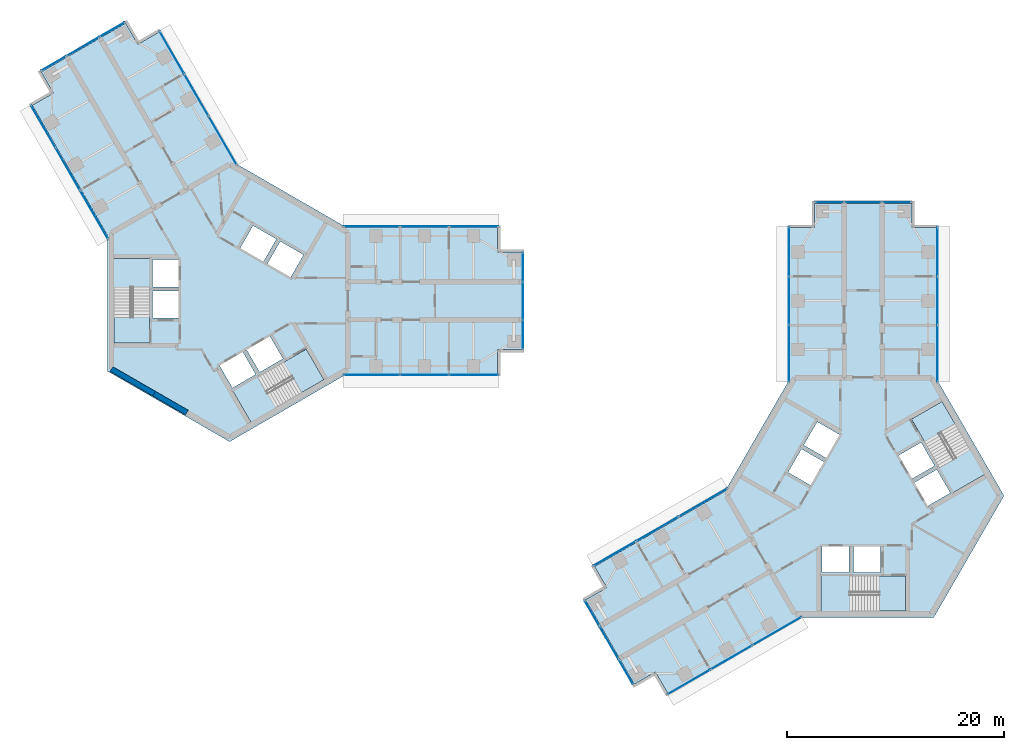
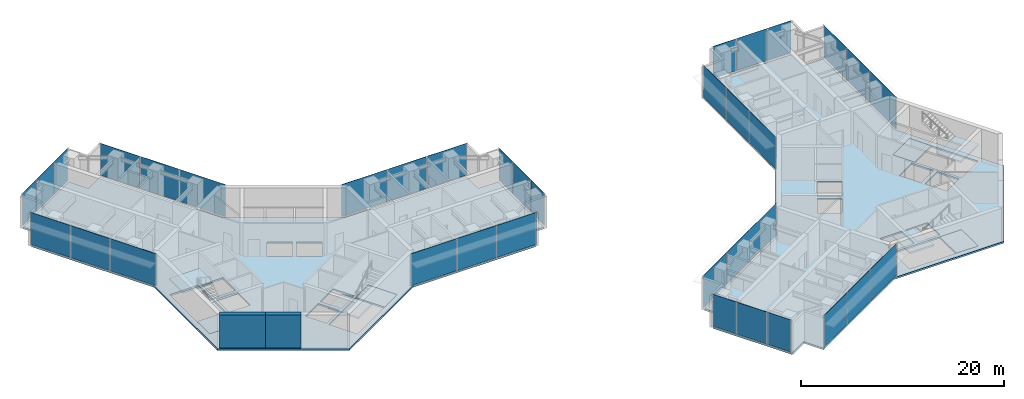
# One storey, part 10 of 17: 36 plates, 10 slabs, 2 walls, 16 elements without a shape of their own.
"""IFC4 building model written with IfcOpenShell, lengths in metres."""

from ifc_helpers import new_model, si_unit, direction, frame, frame_2d, origin, origin_2d, place, context, subcontext, project, spatial, polyline, rectangle, outline, extrude, material, layer, layer_set, type_object, element, aggregate, save


model = new_model("IFC4")

# Units and contexts
model_context = context("Model", 3, precision=1e-05, world=origin(), true_north=direction((0.0, 1.0)))
body_context = subcontext(model_context, "Body", "Model", "MODEL_VIEW")
ifc_project = project(units=[si_unit("LENGTHUNIT", "METRE"), si_unit("AREAUNIT", "SQUARE_METRE"), si_unit("VOLUMEUNIT", "CUBIC_METRE"), si_unit("PLANEANGLEUNIT", "RADIAN"), si_unit("MASSUNIT", "GRAM", prefix="KILO")], contexts=[model_context])

# Site, building, storey
site_placement = place(None, origin())
site = spatial("IfcSite", under=ifc_project, at=site_placement, CompositionType="ELEMENT")
building_placement = place(site_placement, origin())
building = spatial("IfcBuilding", under=site, at=building_placement, Name="Upepo Twin Towers", CompositionType="ELEMENT")
storey_placement = place(building_placement, frame((0.0, 0.0, 186.5)))
storey = spatial("IfcBuildingStorey", under=building, at=storey_placement, Name="L45", CompositionType="ELEMENT", Elevation=186.5)

# Curtain wall, plates
ifc_material_1 = material(Name="Aluminium and fritted glass", Category="aluminium")
curtain_wall_type = type_object("IfcCurtainWallType", Name="Tower curtain wall TW3, fritted glass", PredefinedType="NOTDEFINED", material=ifc_material_1)
curtain_wall_1_placement = place(storey_placement, origin())
curtain_wall_1 = element("IfcCurtainWall", 1, at=curtain_wall_1_placement, inside=storey, type_object=curtain_wall_type, Name="T1 L45 wing A flank L curtain wall", PredefinedType="NOTDEFINED")
ifc_material_2 = material(Name="Ceramic-fritted laminated glass", Category="glass")
ifc_layer_1 = layer(ifc_material_2, 0.031982421875)
ifc_layer_set_1 = layer_set([ifc_layer_1], Name="Fritted glass panel, 50 per cent dot frit, 32 mm double glazed")
plate_type_1 = type_object("IfcPlateType", Name="Fritted glass panel, 50 per cent dot frit, 32 mm double glazed", PredefinedType="CURTAIN_PANEL", material=ifc_layer_set_1)
plate_1_placement = place(storey_placement, frame((13.134765625, 6.85009765625, 0.14990234375), z_axis=(0.0, 0.0, 1.0), x_axis=(1.0, 0.0, 0.0)))
plate_1 = element("IfcPlate", 2, at=plate_1_placement, type_object=plate_type_1, Name="T1 L45 wing A flank L curtain wall panel 1", PredefinedType="CURTAIN_PANEL", context=body_context, shape_type="SweptSolid", body=[
    extrude(rectangle(XDim=5.165283203125, YDim=0.031982421875, at=origin_2d()), origin(), (0.0, 0.0, 1.0), 3.85009765625),
])
plate_2_placement = place(storey_placement, frame((18.0, 6.85009765625, 0.14990234375), z_axis=(0.0, 0.0, 1.0), x_axis=(1.0, 0.0, 0.0)))
plate_2 = element("IfcPlate", 3, at=plate_2_placement, type_object=plate_type_1, Name="T1 L45 wing A flank L curtain wall panel 2", PredefinedType="CURTAIN_PANEL", context=body_context, shape_type="SweptSolid", body=[
    extrude(rectangle(XDim=4.43505859375, YDim=0.031982421875, at=origin_2d()), origin(), (0.0, 0.0, 1.0), 3.85009765625),
])
plate_3_placement = place(storey_placement, frame((22.53369140625, 6.85009765625, 0.14990234375), z_axis=(0.0, 0.0, 1.0), x_axis=(1.0, 0.0, 0.0)))
plate_3 = element("IfcPlate", 4, at=plate_3_placement, type_object=plate_type_1, Name="T1 L45 wing A flank L curtain wall panel 3", PredefinedType="CURTAIN_PANEL", context=body_context, shape_type="SweptSolid", body=[
    extrude(rectangle(XDim=4.50244140625, YDim=0.031982421875, at=origin_2d()), origin(), (0.0, 0.0, 1.0), 3.85009765625),
])
aggregate(curtain_wall_1, [plate_1, plate_2, plate_3])

curtain_wall_2_placement = place(storey_placement, origin())
curtain_wall_2 = element("IfcCurtainWall", 5, at=curtain_wall_2_placement, inside=storey, type_object=curtain_wall_type, Name="T1 L45 wing A flank R curtain wall", PredefinedType="NOTDEFINED")
plate_4_placement = place(storey_placement, frame((22.53369140625, -6.85009765625, 0.14990234375), z_axis=(0.0, 0.0, 1.0), x_axis=(-1.0, 0.0, 0.0)))
plate_4 = element("IfcPlate", 6, at=plate_4_placement, type_object=plate_type_1, Name="T1 L45 wing A flank R curtain wall panel 1", PredefinedType="CURTAIN_PANEL", context=body_context, shape_type="SweptSolid", body=[
    extrude(rectangle(XDim=4.50244140625, YDim=0.031982421875, at=origin_2d()), origin(), (0.0, 0.0, 1.0), 3.85009765625),
])
plate_5_placement = place(storey_placement, frame((18.0, -6.85009765625, 0.14990234375), z_axis=(0.0, 0.0, 1.0), x_axis=(-1.0, 0.0, 0.0)))
plate_5 = element("IfcPlate", 7, at=plate_5_placement, type_object=plate_type_1, Name="T1 L45 wing A flank R curtain wall panel 2", PredefinedType="CURTAIN_PANEL", context=body_context, shape_type="SweptSolid", body=[
    extrude(rectangle(XDim=4.43505859375, YDim=0.031982421875, at=origin_2d()), origin(), (0.0, 0.0, 1.0), 3.85009765625),
])
plate_6_placement = place(storey_placement, frame((13.134765625, -6.85009765625, 0.14990234375), z_axis=(0.0, 0.0, 1.0), x_axis=(-1.0, 0.0, 0.0)))
plate_6 = element("IfcPlate", 8, at=plate_6_placement, type_object=plate_type_1, Name="T1 L45 wing A flank R curtain wall panel 3", PredefinedType="CURTAIN_PANEL", context=body_context, shape_type="SweptSolid", body=[
    extrude(rectangle(XDim=5.165283203125, YDim=0.031982421875, at=origin_2d()), origin(), (0.0, 0.0, 1.0), 3.85009765625),
])
aggregate(curtain_wall_2, [plate_4, plate_5, plate_6])

# Curtain wall, plate
curtain_wall_3_placement = place(storey_placement, origin())
curtain_wall_3 = element("IfcCurtainWall", 9, at=curtain_wall_3_placement, inside=storey, type_object=curtain_wall_type, Name="T1 L45 wing A nose curtain wall", PredefinedType="NOTDEFINED")
plate_7_placement = place(storey_placement, frame((27.10009765625, 0.0, 0.14990234375), z_axis=(0.0, 0.0, 1.0), x_axis=(0.0, 1.0, 0.0)))
plate_7 = element("IfcPlate", 10, at=plate_7_placement, type_object=plate_type_1, Name="T1 L45 wing A nose curtain wall panel 2", PredefinedType="CURTAIN_PANEL", context=body_context, shape_type="SweptSolid", body=[
    extrude(rectangle(XDim=3.43505859375, YDim=0.031982421875, at=origin_2d()), origin(), (0.0, 0.0, 1.0), 3.85009765625),
])

# Curtain wall, plates
curtain_wall_4_placement = place(storey_placement, origin())
curtain_wall_4 = element("IfcCurtainWall", 11, at=curtain_wall_4_placement, inside=storey, type_object=curtain_wall_type, Name="T1 L45 wing B flank L curtain wall", PredefinedType="NOTDEFINED")
plate_8_placement = place(storey_placement, frame((-12.499755859375, 7.9501953125, 0.14990234375), z_axis=(0.0, 0.0, 1.0), x_axis=(-0.500000026527, 0.866025388469, 0.0)))
plate_8 = element("IfcPlate", 12, at=plate_8_placement, type_object=plate_type_1, Name="T1 L45 wing B flank L curtain wall panel 1", PredefinedType="CURTAIN_PANEL", context=body_context, shape_type="SweptSolid", body=[
    extrude(rectangle(XDim=5.165283203125, YDim=0.031982421875, at=origin_2d()), origin(), (0.0, 0.0, 1.0), 3.85009765625),
])
plate_9_placement = place(storey_placement, frame((-14.932373046875, 12.16357421875, 0.14990234375), z_axis=(0.0, 0.0, 1.0), x_axis=(-0.500000026527, 0.866025388469, 0.0)))
plate_9 = element("IfcPlate", 13, at=plate_9_placement, type_object=plate_type_1, Name="T1 L45 wing B flank L curtain wall panel 2", PredefinedType="CURTAIN_PANEL", context=body_context, shape_type="SweptSolid", body=[
    extrude(rectangle(XDim=4.43505859375, YDim=0.031982421875, at=origin_2d()), origin(), (0.0, 0.0, 1.0), 3.85009765625),
])
plate_10_placement = place(storey_placement, frame((-17.19921875, 16.08984375, 0.14990234375), z_axis=(0.0, 0.0, 1.0), x_axis=(-0.500000026527, 0.866025388469, 0.0)))
plate_10 = element("IfcPlate", 14, at=plate_10_placement, type_object=plate_type_1, Name="T1 L45 wing B flank L curtain wall panel 3", PredefinedType="CURTAIN_PANEL", context=body_context, shape_type="SweptSolid", body=[
    extrude(rectangle(XDim=4.50244140625, YDim=0.031982421875, at=origin_2d()), origin(), (0.0, 0.0, 1.0), 3.85009765625),
])
aggregate(curtain_wall_4, [plate_8, plate_9, plate_10])

curtain_wall_5_placement = place(storey_placement, origin())
curtain_wall_5 = element("IfcCurtainWall", 15, at=curtain_wall_5_placement, inside=storey, type_object=curtain_wall_type, Name="T1 L45 wing B flank R curtain wall", PredefinedType="NOTDEFINED")
plate_11_placement = place(storey_placement, frame((-5.334716796875, 22.939697265625, 0.14990234375), z_axis=(0.0, 0.0, 1.0), x_axis=(0.500000026527, -0.866025388469, 0.0)))
plate_11 = element("IfcPlate", 16, at=plate_11_placement, type_object=plate_type_1, Name="T1 L45 wing B flank R curtain wall panel 1", PredefinedType="CURTAIN_PANEL", context=body_context, shape_type="SweptSolid", body=[
    extrude(rectangle(XDim=4.50244140625, YDim=0.031982421875, at=origin_2d()), origin(), (0.0, 0.0, 1.0), 3.85009765625),
])
plate_12_placement = place(storey_placement, frame((-3.067626953125, 19.013427734375, 0.14990234375), z_axis=(0.0, 0.0, 1.0), x_axis=(0.500000026527, -0.866025388469, 0.0)))
plate_12 = element("IfcPlate", 17, at=plate_12_placement, type_object=plate_type_1, Name="T1 L45 wing B flank R curtain wall panel 2", PredefinedType="CURTAIN_PANEL", context=body_context, shape_type="SweptSolid", body=[
    extrude(rectangle(XDim=4.43505859375, YDim=0.031982421875, at=origin_2d()), origin(), (0.0, 0.0, 1.0), 3.85009765625),
])
plate_13_placement = place(storey_placement, frame((-0.635009765625, 14.800048828125, 0.14990234375), z_axis=(0.0, 0.0, 1.0), x_axis=(0.500000026527, -0.866025388469, 0.0)))
plate_13 = element("IfcPlate", 18, at=plate_13_placement, type_object=plate_type_1, Name="T1 L45 wing B flank R curtain wall panel 3", PredefinedType="CURTAIN_PANEL", context=body_context, shape_type="SweptSolid", body=[
    extrude(rectangle(XDim=5.165283203125, YDim=0.031982421875, at=origin_2d()), origin(), (0.0, 0.0, 1.0), 3.85009765625),
])
aggregate(curtain_wall_5, [plate_11, plate_12, plate_13])

# Curtain wall, plate
curtain_wall_6_placement = place(storey_placement, origin())
curtain_wall_6 = element("IfcCurtainWall", 19, at=curtain_wall_6_placement, inside=storey, type_object=curtain_wall_type, Name="T1 L45 wing B nose curtain wall", PredefinedType="NOTDEFINED")
plate_14_placement = place(storey_placement, frame((-13.550048828125, 23.46923828125, 0.14990234375), z_axis=(0.0, 0.0, 1.0), x_axis=(-0.866025386174, -0.500000030502, 0.0)))
plate_14 = element("IfcPlate", 20, at=plate_14_placement, type_object=plate_type_1, Name="T1 L45 wing B nose curtain wall panel 2", PredefinedType="CURTAIN_PANEL", context=body_context, shape_type="SweptSolid", body=[
    extrude(rectangle(XDim=3.43505859375, YDim=0.031982421875, at=origin_2d()), origin(), (0.0, 0.0, 1.0), 3.85009765625),
])

# Curtain wall, plates
curtain_wall_7_placement = place(storey_placement, origin())
curtain_wall_7 = element("IfcCurtainWall", 21, at=curtain_wall_7_placement, inside=storey, type_object=curtain_wall_type, Name="T2 L45 wing A flank L curtain wall", PredefinedType="NOTDEFINED")
plate_15_placement = place(storey_placement, frame((51.64990234375, -4.865234375, 0.14990234375), z_axis=(0.0, 0.0, 1.0), x_axis=(0.0, 1.0, 0.0)))
plate_15 = element("IfcPlate", 22, at=plate_15_placement, type_object=plate_type_1, Name="T2 L45 wing A flank L curtain wall panel 1", PredefinedType="CURTAIN_PANEL", context=body_context, shape_type="SweptSolid", body=[
    extrude(rectangle(XDim=5.165283203125, YDim=0.031982421875, at=origin_2d()), origin(), (0.0, 0.0, 1.0), 3.85009765625),
])
plate_16_placement = place(storey_placement, frame((51.64990234375, 0.0, 0.14990234375), z_axis=(0.0, 0.0, 1.0), x_axis=(0.0, 1.0, 0.0)))
plate_16 = element("IfcPlate", 23, at=plate_16_placement, type_object=plate_type_1, Name="T2 L45 wing A flank L curtain wall panel 2", PredefinedType="CURTAIN_PANEL", context=body_context, shape_type="SweptSolid", body=[
    extrude(rectangle(XDim=4.43505859375, YDim=0.031982421875, at=origin_2d()), origin(), (0.0, 0.0, 1.0), 3.85009765625),
])
plate_17_placement = place(storey_placement, frame((51.64990234375, 4.53369140625, 0.14990234375), z_axis=(0.0, 0.0, 1.0), x_axis=(0.0, 1.0, 0.0)))
plate_17 = element("IfcPlate", 24, at=plate_17_placement, type_object=plate_type_1, Name="T2 L45 wing A flank L curtain wall panel 3", PredefinedType="CURTAIN_PANEL", context=body_context, shape_type="SweptSolid", body=[
    extrude(rectangle(XDim=4.50244140625, YDim=0.031982421875, at=origin_2d()), origin(), (0.0, 0.0, 1.0), 3.85009765625),
])
aggregate(curtain_wall_7, [plate_15, plate_16, plate_17])

curtain_wall_8_placement = place(storey_placement, origin())
curtain_wall_8 = element("IfcCurtainWall", 25, at=curtain_wall_8_placement, inside=storey, type_object=curtain_wall_type, Name="T2 L45 wing A flank R curtain wall", PredefinedType="NOTDEFINED")
plate_18_placement = place(storey_placement, frame((65.35009765625, 4.53369140625, 0.14990234375), z_axis=(0.0, 0.0, 1.0), x_axis=(0.0, -1.0, 0.0)))
plate_18 = element("IfcPlate", 26, at=plate_18_placement, type_object=plate_type_1, Name="T2 L45 wing A flank R curtain wall panel 1", PredefinedType="CURTAIN_PANEL", context=body_context, shape_type="SweptSolid", body=[
    extrude(rectangle(XDim=4.50244140625, YDim=0.031982421875, at=origin_2d()), origin(), (0.0, 0.0, 1.0), 3.85009765625),
])
plate_19_placement = place(storey_placement, frame((65.35009765625, 0.0, 0.14990234375), z_axis=(0.0, 0.0, 1.0), x_axis=(0.0, -1.0, 0.0)))
plate_19 = element("IfcPlate", 27, at=plate_19_placement, type_object=plate_type_1, Name="T2 L45 wing A flank R curtain wall panel 2", PredefinedType="CURTAIN_PANEL", context=body_context, shape_type="SweptSolid", body=[
    extrude(rectangle(XDim=4.43505859375, YDim=0.031982421875, at=origin_2d()), origin(), (0.0, 0.0, 1.0), 3.85009765625),
])
plate_20_placement = place(storey_placement, frame((65.35009765625, -4.865234375, 0.14990234375), z_axis=(0.0, 0.0, 1.0), x_axis=(0.0, -1.0, 0.0)))
plate_20 = element("IfcPlate", 28, at=plate_20_placement, type_object=plate_type_1, Name="T2 L45 wing A flank R curtain wall panel 3", PredefinedType="CURTAIN_PANEL", context=body_context, shape_type="SweptSolid", body=[
    extrude(rectangle(XDim=5.165283203125, YDim=0.031982421875, at=origin_2d()), origin(), (0.0, 0.0, 1.0), 3.85009765625),
])
aggregate(curtain_wall_8, [plate_18, plate_19, plate_20])

# Curtain wall, plate
curtain_wall_9_placement = place(storey_placement, origin())
curtain_wall_9 = element("IfcCurtainWall", 29, at=curtain_wall_9_placement, inside=storey, type_object=curtain_wall_type, Name="T2 L45 wing A nose curtain wall", PredefinedType="NOTDEFINED")
plate_21_placement = place(storey_placement, frame((58.5, 9.10009765625, 0.14990234375), z_axis=(0.0, 0.0, 1.0), x_axis=(-1.0, 0.0, 0.0)))
plate_21 = element("IfcPlate", 30, at=plate_21_placement, type_object=plate_type_1, Name="T2 L45 wing A nose curtain wall panel 2", PredefinedType="CURTAIN_PANEL", context=body_context, shape_type="SweptSolid", body=[
    extrude(rectangle(XDim=3.43505859375, YDim=0.031982421875, at=origin_2d()), origin(), (0.0, 0.0, 1.0), 3.85009765625),
])

# Curtain wall, plates
curtain_wall_10_placement = place(storey_placement, origin())
curtain_wall_10 = element("IfcCurtainWall", 31, at=curtain_wall_10_placement, inside=storey, type_object=curtain_wall_type, Name="T2 L45 wing B flank L curtain wall", PredefinedType="NOTDEFINED")
plate_22_placement = place(storey_placement, frame((50.5498046875, -30.499755859375, 0.14990234375), z_axis=(0.0, 0.0, 1.0), x_axis=(-0.866025388469, -0.500000026527, 0.0)))
plate_22 = element("IfcPlate", 32, at=plate_22_placement, type_object=plate_type_1, Name="T2 L45 wing B flank L curtain wall panel 1", PredefinedType="CURTAIN_PANEL", context=body_context, shape_type="SweptSolid", body=[
    extrude(rectangle(XDim=5.165283203125, YDim=0.031982421875, at=origin_2d()), origin(), (0.0, 0.0, 1.0), 3.85009765625),
])
plate_23_placement = place(storey_placement, frame((46.33642578125, -32.932373046875, 0.14990234375), z_axis=(0.0, 0.0, 1.0), x_axis=(-0.866025388469, -0.500000026527, 0.0)))
plate_23 = element("IfcPlate", 33, at=plate_23_placement, type_object=plate_type_1, Name="T2 L45 wing B flank L curtain wall panel 2", PredefinedType="CURTAIN_PANEL", context=body_context, shape_type="SweptSolid", body=[
    extrude(rectangle(XDim=4.43505859375, YDim=0.031982421875, at=origin_2d()), origin(), (0.0, 0.0, 1.0), 3.85009765625),
])
plate_24_placement = place(storey_placement, frame((42.41015625, -35.19921875, 0.14990234375), z_axis=(0.0, 0.0, 1.0), x_axis=(-0.866025388469, -0.500000026527, 0.0)))
plate_24 = element("IfcPlate", 34, at=plate_24_placement, type_object=plate_type_1, Name="T2 L45 wing B flank L curtain wall panel 3", PredefinedType="CURTAIN_PANEL", context=body_context, shape_type="SweptSolid", body=[
    extrude(rectangle(XDim=4.50244140625, YDim=0.031982421875, at=origin_2d()), origin(), (0.0, 0.0, 1.0), 3.85009765625),
])
aggregate(curtain_wall_10, [plate_22, plate_23, plate_24])

curtain_wall_11_placement = place(storey_placement, origin())
curtain_wall_11 = element("IfcCurtainWall", 35, at=curtain_wall_11_placement, inside=storey, type_object=curtain_wall_type, Name="T2 L45 wing B flank R curtain wall", PredefinedType="NOTDEFINED")
plate_25_placement = place(storey_placement, frame((35.560302734375, -23.334716796875, 0.14990234375), z_axis=(0.0, 0.0, 1.0), x_axis=(0.866025388469, 0.500000026527, 0.0)))
plate_25 = element("IfcPlate", 36, at=plate_25_placement, type_object=plate_type_1, Name="T2 L45 wing B flank R curtain wall panel 1", PredefinedType="CURTAIN_PANEL", context=body_context, shape_type="SweptSolid", body=[
    extrude(rectangle(XDim=4.50244140625, YDim=0.031982421875, at=origin_2d()), origin(), (0.0, 0.0, 1.0), 3.85009765625),
])
plate_26_placement = place(storey_placement, frame((39.486572265625, -21.067626953125, 0.14990234375), z_axis=(0.0, 0.0, 1.0), x_axis=(0.866025388469, 0.500000026527, 0.0)))
plate_26 = element("IfcPlate", 37, at=plate_26_placement, type_object=plate_type_1, Name="T2 L45 wing B flank R curtain wall panel 2", PredefinedType="CURTAIN_PANEL", context=body_context, shape_type="SweptSolid", body=[
    extrude(rectangle(XDim=4.43505859375, YDim=0.031982421875, at=origin_2d()), origin(), (0.0, 0.0, 1.0), 3.85009765625),
])
plate_27_placement = place(storey_placement, frame((43.699951171875, -18.635009765625, 0.14990234375), z_axis=(0.0, 0.0, 1.0), x_axis=(0.866025388469, 0.500000026527, 0.0)))
plate_27 = element("IfcPlate", 38, at=plate_27_placement, type_object=plate_type_1, Name="T2 L45 wing B flank R curtain wall panel 3", PredefinedType="CURTAIN_PANEL", context=body_context, shape_type="SweptSolid", body=[
    extrude(rectangle(XDim=5.165283203125, YDim=0.031982421875, at=origin_2d()), origin(), (0.0, 0.0, 1.0), 3.85009765625),
])
aggregate(curtain_wall_11, [plate_25, plate_26, plate_27])

# Curtain wall, plate
curtain_wall_12_placement = place(storey_placement, origin())
curtain_wall_12 = element("IfcCurtainWall", 39, at=curtain_wall_12_placement, inside=storey, type_object=curtain_wall_type, Name="T2 L45 wing B nose curtain wall", PredefinedType="NOTDEFINED")
plate_28_placement = place(storey_placement, frame((35.03076171875, -31.550048828125, 0.14990234375), z_axis=(0.0, 0.0, 1.0), x_axis=(0.500000030502, -0.866025386174, 0.0)))
plate_28 = element("IfcPlate", 40, at=plate_28_placement, type_object=plate_type_1, Name="T2 L45 wing B nose curtain wall panel 2", PredefinedType="CURTAIN_PANEL", context=body_context, shape_type="SweptSolid", body=[
    extrude(rectangle(XDim=3.43505859375, YDim=0.031982421875, at=origin_2d()), origin(), (0.0, 0.0, 1.0), 3.85009765625),
])

# Plate
ifc_material_3 = material(Name="Clear laminated glass in opening sash", Category="glass")
ifc_layer_2 = layer(ifc_material_3, 0.031982421875)
ifc_layer_set_2 = layer_set([ifc_layer_2], Name="Operable glass panel, 32 mm double glazed")
plate_type_2 = type_object("IfcPlateType", Name="Operable glass panel, 32 mm double glazed", PredefinedType="CURTAIN_PANEL", material=ifc_layer_set_2)
plate_29_placement = place(storey_placement, frame((27.10009765625, -3.108642578125, 0.14990234375), z_axis=(0.0, 0.0, 1.0), x_axis=(0.0, 1.0, 0.0)))
plate_29 = element("IfcPlate", 41, at=plate_29_placement, type_object=plate_type_2, Name="T1 L45 wing A nose curtain wall panel 1", PredefinedType="CURTAIN_PANEL", context=body_context, shape_type="SweptSolid", body=[
    extrude(rectangle(XDim=2.652587890625, YDim=0.031982421875, at=origin_2d()), origin(), (0.0, 0.0, 1.0), 3.85009765625),
])

plate_30_placement = place(storey_placement, frame((27.10009765625, 3.108642578125, 0.14990234375), z_axis=(0.0, 0.0, 1.0), x_axis=(0.0, 1.0, 0.0)))
plate_30 = element("IfcPlate", 42, at=plate_30_placement, type_object=plate_type_2, Name="T1 L45 wing A nose curtain wall panel 3", PredefinedType="CURTAIN_PANEL", context=body_context, shape_type="SweptSolid", body=[
    extrude(rectangle(XDim=2.652587890625, YDim=0.031982421875, at=origin_2d()), origin(), (0.0, 0.0, 1.0), 3.85009765625),
])

aggregate(curtain_wall_3, [plate_29, plate_7, plate_30])

plate_31_placement = place(storey_placement, frame((-10.857666015625, 25.023681640625, 0.14990234375), z_axis=(0.0, 0.0, 1.0), x_axis=(-0.866025386174, -0.500000030502, 0.0)))
plate_31 = element("IfcPlate", 43, at=plate_31_placement, type_object=plate_type_2, Name="T1 L45 wing B nose curtain wall panel 1", PredefinedType="CURTAIN_PANEL", context=body_context, shape_type="SweptSolid", body=[
    extrude(rectangle(XDim=2.652587890625, YDim=0.031982421875, at=origin_2d()), origin(), (0.0, 0.0, 1.0), 3.85009765625),
])

plate_32_placement = place(storey_placement, frame((-16.2421875, 21.914794921875, 0.14990234375), z_axis=(0.0, 0.0, 1.0), x_axis=(-0.866025386174, -0.500000030502, 0.0)))
plate_32 = element("IfcPlate", 44, at=plate_32_placement, type_object=plate_type_2, Name="T1 L45 wing B nose curtain wall panel 3", PredefinedType="CURTAIN_PANEL", context=body_context, shape_type="SweptSolid", body=[
    extrude(rectangle(XDim=2.652587890625, YDim=0.031982421875, at=origin_2d()), origin(), (0.0, 0.0, 1.0), 3.85009765625),
])

aggregate(curtain_wall_6, [plate_31, plate_14, plate_32])

plate_33_placement = place(storey_placement, frame((61.608642578125, 9.10009765625, 0.14990234375), z_axis=(0.0, 0.0, 1.0), x_axis=(-1.0, 0.0, 0.0)))
plate_33 = element("IfcPlate", 45, at=plate_33_placement, type_object=plate_type_2, Name="T2 L45 wing A nose curtain wall panel 1", PredefinedType="CURTAIN_PANEL", context=body_context, shape_type="SweptSolid", body=[
    extrude(rectangle(XDim=2.652587890625, YDim=0.031982421875, at=origin_2d()), origin(), (0.0, 0.0, 1.0), 3.85009765625),
])

plate_34_placement = place(storey_placement, frame((55.391357421875, 9.10009765625, 0.14990234375), z_axis=(0.0, 0.0, 1.0), x_axis=(-1.0, 0.0, 0.0)))
plate_34 = element("IfcPlate", 46, at=plate_34_placement, type_object=plate_type_2, Name="T2 L45 wing A nose curtain wall panel 3", PredefinedType="CURTAIN_PANEL", context=body_context, shape_type="SweptSolid", body=[
    extrude(rectangle(XDim=2.652587890625, YDim=0.031982421875, at=origin_2d()), origin(), (0.0, 0.0, 1.0), 3.85009765625),
])

aggregate(curtain_wall_9, [plate_33, plate_21, plate_34])

plate_35_placement = place(storey_placement, frame((33.476318359375, -28.857666015625, 0.14990234375), z_axis=(0.0, 0.0, 1.0), x_axis=(0.500000030502, -0.866025386174, 0.0)))
plate_35 = element("IfcPlate", 47, at=plate_35_placement, type_object=plate_type_2, Name="T2 L45 wing B nose curtain wall panel 1", PredefinedType="CURTAIN_PANEL", context=body_context, shape_type="SweptSolid", body=[
    extrude(rectangle(XDim=2.652587890625, YDim=0.031982421875, at=origin_2d()), origin(), (0.0, 0.0, 1.0), 3.85009765625),
])

plate_36_placement = place(storey_placement, frame((36.585205078125, -34.2421875, 0.14990234375), z_axis=(0.0, 0.0, 1.0), x_axis=(0.500000030502, -0.866025386174, 0.0)))
plate_36 = element("IfcPlate", 48, at=plate_36_placement, type_object=plate_type_2, Name="T2 L45 wing B nose curtain wall panel 3", PredefinedType="CURTAIN_PANEL", context=body_context, shape_type="SweptSolid", body=[
    extrude(rectangle(XDim=2.652587890625, YDim=0.031982421875, at=origin_2d()), origin(), (0.0, 0.0, 1.0), 3.85009765625),
])

aggregate(curtain_wall_12, [plate_35, plate_28, plate_36])

# Stair, slabs
ifc_material_4 = material(Name="Concrete C40/50", Category="concrete")
stair_type = type_object("IfcStairType", Name="Core stair, two flights", PredefinedType="HALF_TURN_STAIR", material=ifc_material_4)
stair_1_placement = place(storey_placement, origin())
stair_1 = element("IfcStair", 49, at=stair_1_placement, inside=storey, type_object=stair_type, Name="T1 stair S1 L45", PredefinedType="HALF_TURN_STAIR")
ifc_material_5 = material(Name="Concrete C40/50", Category="concrete")
ifc_layer_3 = layer(ifc_material_5, 0.199951171875)
ifc_layer_set_3 = layer_set([ifc_layer_3], Name="Concrete C40/50")
slab_type_1 = type_object("IfcSlabType", Name="Stair landing 200 RC", PredefinedType="LANDING", material=ifc_layer_set_3)
slab_1_placement = place(storey_placement, frame((0.0, 0.0, -0.199951171875)))
slab_1 = element("IfcSlab", 50, at=slab_1_placement, type_object=slab_type_1, Name="Stair S1 landing 1", PredefinedType="LANDING", context=body_context, shape_type="SweptSolid", body=[
    extrude(outline(polyline([(-7.39990234375, -1.419921875), (-10.658447265625, -1.419921875), (-10.658447265625, -3.89990234375), (-7.39990234375, -3.89990234375), (-7.39990234375, -1.419921875)])), origin(), (0.0, 0.0, 1.0), 0.199951171875),
])
slab_2_placement = place(storey_placement, frame((0.0, 0.0, 1.800048828125)))
slab_2 = element("IfcSlab", 51, at=slab_2_placement, type_object=slab_type_1, Name="Stair S1 landing 2", PredefinedType="LANDING", context=body_context, shape_type="SweptSolid", body=[
    extrude(outline(polyline([(-7.300048828125, 3.89990234375), (-10.75830078125, 3.89990234375), (-10.75830078125, 1.179931640625), (-7.300048828125, 1.179931640625), (-7.300048828125, 3.89990234375)])), origin(), (0.0, 0.0, 1.0), 0.199951171875),
])
aggregate(stair_1, [slab_1, slab_2])

stair_2_placement = place(storey_placement, origin())
stair_2 = element("IfcStair", 52, at=stair_2_placement, inside=storey, type_object=stair_type, Name="T1 stair S2 L45", PredefinedType="HALF_TURN_STAIR")
slab_3_placement = place(storey_placement, frame((0.0, 0.0, -0.199951171875)))
slab_3 = element("IfcSlab", 53, at=slab_3_placement, type_object=slab_type_1, Name="Stair S2 landing 1", PredefinedType="LANDING", context=body_context, shape_type="SweptSolid", body=[
    extrude(outline(polyline([(4.9296875, -5.698486328125), (6.558837890625, -8.520263671875), (8.70654296875, -7.2802734375), (7.077392578125, -4.45849609375), (4.9296875, -5.698486328125)])), origin(), (0.0, 0.0, 1.0), 0.199951171875),
])
slab_4_placement = place(storey_placement, frame((0.0, 0.0, 1.800048828125)))
slab_4 = element("IfcSlab", 54, at=slab_4_placement, type_object=slab_type_1, Name="Stair S2 landing 2", PredefinedType="LANDING", context=body_context, shape_type="SweptSolid", body=[
    extrude(outline(polyline([(0.2724609375, -8.27197265625), (2.001708984375, -11.26708984375), (4.357177734375, -9.906982421875), (2.628173828125, -6.911865234375), (0.2724609375, -8.27197265625)])), origin(), (0.0, 0.0, 1.0), 0.199951171875),
])
aggregate(stair_2, [slab_3, slab_4])

stair_3_placement = place(storey_placement, origin())
stair_3 = element("IfcStair", 55, at=stair_3_placement, inside=storey, type_object=stair_type, Name="T2 stair S1 L45", PredefinedType="HALF_TURN_STAIR")
slab_5_placement = place(storey_placement, frame((0.0, 0.0, -0.199951171875)))
slab_5 = element("IfcSlab", 56, at=slab_5_placement, type_object=slab_type_1, Name="Stair S1 landing 1", PredefinedType="LANDING", context=body_context, shape_type="SweptSolid", body=[
    extrude(outline(polyline([(59.919921875, -25.39990234375), (59.919921875, -28.658447265625), (62.39990234375, -28.658447265625), (62.39990234375, -25.39990234375), (59.919921875, -25.39990234375)])), origin(), (0.0, 0.0, 1.0), 0.199951171875),
])
slab_6_placement = place(storey_placement, frame((0.0, 0.0, 1.800048828125)))
slab_6 = element("IfcSlab", 57, at=slab_6_placement, type_object=slab_type_1, Name="Stair S1 landing 2", PredefinedType="LANDING", context=body_context, shape_type="SweptSolid", body=[
    extrude(outline(polyline([(54.60009765625, -25.300048828125), (54.60009765625, -28.75830078125), (57.320068359375, -28.75830078125), (57.320068359375, -25.300048828125), (54.60009765625, -25.300048828125)])), origin(), (0.0, 0.0, 1.0), 0.199951171875),
])
aggregate(stair_3, [slab_5, slab_6])

stair_4_placement = place(storey_placement, origin())
stair_4 = element("IfcStair", 58, at=stair_4_placement, inside=storey, type_object=stair_type, Name="T2 stair S2 L45", PredefinedType="HALF_TURN_STAIR")
slab_7_placement = place(storey_placement, frame((0.0, 0.0, -0.199951171875)))
slab_7 = element("IfcSlab", 59, at=slab_7_placement, type_object=slab_type_1, Name="Stair S2 landing 1", PredefinedType="LANDING", context=body_context, shape_type="SweptSolid", body=[
    extrude(outline(polyline([(64.198486328125, -13.0703125), (67.020263671875, -11.441162109375), (65.7802734375, -9.29345703125), (62.95849609375, -10.922607421875), (64.198486328125, -13.0703125)])), origin(), (0.0, 0.0, 1.0), 0.199951171875),
])
slab_8_placement = place(storey_placement, frame((0.0, 0.0, 1.800048828125)))
slab_8 = element("IfcSlab", 60, at=slab_8_placement, type_object=slab_type_1, Name="Stair S2 landing 2", PredefinedType="LANDING", context=body_context, shape_type="SweptSolid", body=[
    extrude(outline(polyline([(66.77197265625, -17.7275390625), (69.76708984375, -15.998291015625), (68.406982421875, -13.642822265625), (65.411865234375, -15.371826171875), (66.77197265625, -17.7275390625)])), origin(), (0.0, 0.0, 1.0), 0.199951171875),
])
aggregate(stair_4, [slab_7, slab_8])

# Slabs
ifc_material_6 = material(Name="Concrete C40/50", Category="concrete")
ifc_layer_4 = layer(ifc_material_6, 0.199951171875)
ifc_layer_set_4 = layer_set([ifc_layer_4], Name="Concrete C40/50")
slab_type_2 = type_object("IfcSlabType", Name="Tower floor slab 200 RC", PredefinedType="FLOOR", material=ifc_layer_set_4)
slab_9_placement = place(storey_placement, frame((0.0, 0.0, -0.199951171875)))
element("IfcSlab", 61, at=slab_9_placement, inside=storey, type_object=slab_type_2, Name="T1 L45 floor slab", PredefinedType="FLOOR", context=body_context, shape_type="SweptSolid", body=[
    extrude(outline(polyline([(10.825439453125, 6.75), (24.75, 6.75), (24.75, 4.5), (27.0, 4.5), (27.0, -4.5), (24.75, -4.5), (24.75, -6.75), (10.825439453125, -6.75), (0.0, -13.0), (-11.25830078125, -6.5), (-11.25830078125, 6.0), (-18.220703125, 18.05908203125), (-16.272216796875, 19.18408203125), (-17.397216796875, 21.132568359375), (-9.602783203125, 25.632568359375), (-8.477783203125, 23.68408203125), (-6.529296875, 24.80908203125), (0.43310546875, 12.75), (10.825439453125, 6.75)]), holes=[polyline([(5.640869140625, 2.17041015625), (6.8408203125, 4.248779296875), (4.67578125, 5.498779296875), (3.475830078125, 3.42041015625), (5.640869140625, 2.17041015625)]), polyline([(3.12939453125, 3.620361328125), (4.329345703125, 5.69873046875), (2.164306640625, 6.94873046875), (0.96435546875, 4.870361328125), (3.12939453125, 3.620361328125)]), polyline([(-4.699951171875, 3.800048828125), (-7.10009765625, 3.800048828125), (-7.10009765625, 1.300048828125), (-4.699951171875, 1.300048828125), (-4.699951171875, 3.800048828125)]), polyline([(-4.699951171875, 0.89990234375), (-7.10009765625, 0.89990234375), (-7.10009765625, -1.60009765625), (-4.699951171875, -1.60009765625), (-4.699951171875, 0.89990234375)]), polyline([(-7.39990234375, 3.89990234375), (-10.658447265625, 3.89990234375), (-10.658447265625, -3.89990234375), (-7.39990234375, -3.89990234375), (-7.39990234375, 3.89990234375)]), polyline([(-0.94091796875, -5.97021484375), (0.259033203125, -8.048828125), (2.424072265625, -6.798828125), (1.22412109375, -4.72021484375), (-0.94091796875, -5.97021484375)]), polyline([(1.570556640625, -4.520263671875), (2.7705078125, -6.598876953125), (4.935546875, -5.348876953125), (3.735595703125, -3.270263671875), (1.570556640625, -4.520263671875)]), polyline([(0.322509765625, -8.358642578125), (1.95166015625, -11.180419921875), (8.70654296875, -7.2802734375), (7.077392578125, -4.45849609375), (0.322509765625, -8.358642578125)])]), origin(), (0.0, 0.0, 1.0), 0.199951171875),
])
slab_10_placement = place(storey_placement, frame((0.0, 0.0, -0.199951171875)))
element("IfcSlab", 62, at=slab_10_placement, inside=storey, type_object=slab_type_2, Name="T2 L45 floor slab", PredefinedType="FLOOR", context=body_context, shape_type="SweptSolid", body=[
    extrude(outline(polyline([(51.75, -7.174560546875), (51.75, 6.75), (54.0, 6.75), (54.0, 9.0), (63.0, 9.0), (63.0, 6.75), (65.25, 6.75), (65.25, -7.174560546875), (71.5, -18.0), (65.0, -29.25830078125), (52.5, -29.25830078125), (40.44091796875, -36.220703125), (39.31591796875, -34.272216796875), (37.367431640625, -35.397216796875), (32.867431640625, -27.602783203125), (34.81591796875, -26.477783203125), (33.69091796875, -24.529296875), (45.75, -17.56689453125), (51.75, -7.174560546875)]), holes=[polyline([(56.32958984375, -12.359130859375), (54.251220703125, -11.1591796875), (53.001220703125, -13.32421875), (55.07958984375, -14.524169921875), (56.32958984375, -12.359130859375)]), polyline([(54.879638671875, -14.87060546875), (52.80126953125, -13.670654296875), (51.55126953125, -15.835693359375), (53.629638671875, -17.03564453125), (54.879638671875, -14.87060546875)]), polyline([(54.699951171875, -22.699951171875), (54.699951171875, -25.10009765625), (57.199951171875, -25.10009765625), (57.199951171875, -22.699951171875), (54.699951171875, -22.699951171875)]), polyline([(57.60009765625, -22.699951171875), (57.60009765625, -25.10009765625), (60.10009765625, -25.10009765625), (60.10009765625, -22.699951171875), (57.60009765625, -22.699951171875)]), polyline([(54.60009765625, -25.39990234375), (54.60009765625, -28.658447265625), (62.39990234375, -28.658447265625), (62.39990234375, -25.39990234375), (54.60009765625, -25.39990234375)]), polyline([(64.47021484375, -18.94091796875), (66.548828125, -17.740966796875), (65.298828125, -15.575927734375), (63.22021484375, -16.77587890625), (64.47021484375, -18.94091796875)]), polyline([(63.020263671875, -16.429443359375), (65.098876953125, -15.2294921875), (63.848876953125, -13.064453125), (61.770263671875, -14.264404296875), (63.020263671875, -16.429443359375)]), polyline([(66.858642578125, -17.677490234375), (69.680419921875, -16.04833984375), (65.7802734375, -9.29345703125), (62.95849609375, -10.922607421875), (66.858642578125, -17.677490234375)])]), origin(), (0.0, 0.0, 1.0), 0.199951171875),
])

# Walls
ifc_material_7 = material(Name="Concrete C60/75", Category="concrete")
ifc_layer_5 = layer(ifc_material_7, 0.5)
ifc_layer_set_5 = layer_set([ifc_layer_5], Name="Concrete C60/75")
wall_type = type_object("IfcWallType", Name="Core wall 500 RC", PredefinedType="SHEAR", material=ifc_layer_set_5)
wall_1_placement = place(storey_placement, frame((-10.908447265625, -6.2978515625, 0.0), z_axis=(0.0, 0.0, 1.0), x_axis=(0.866034513004, -0.499984222037, 0.0)))
element("IfcWall", 63, at=wall_1_placement, inside=storey, type_object=wall_type, Name="T1 core wall 240 R", PredefinedType="SHEAR", context=body_context, shape_type="SweptSolid", body=[
    extrude(rectangle(XDim=4.548095703125, YDim=0.5, at=frame_2d((2.27392578125, 0.0))), origin(), (0.0, 0.0, 1.0), 4.0),
])
wall_2_placement = place(storey_placement, frame((-6.9697265625, -8.57177734375, 0.0), z_axis=(0.0, 0.0, 1.0), x_axis=(0.866019471182, -0.500010275428, 0.0)))
element("IfcWall", 64, at=wall_2_placement, inside=storey, type_object=wall_type, Name="T1 core wall 240", PredefinedType="SHEAR", context=body_context, shape_type="SweptSolid", body=[
    extrude(rectangle(XDim=3.5, YDim=0.5, at=frame_2d((1.75, 0.0))), origin(), (0.0, 0.0, 1.0), 4.0),
])

save(model, "model.ifc")
